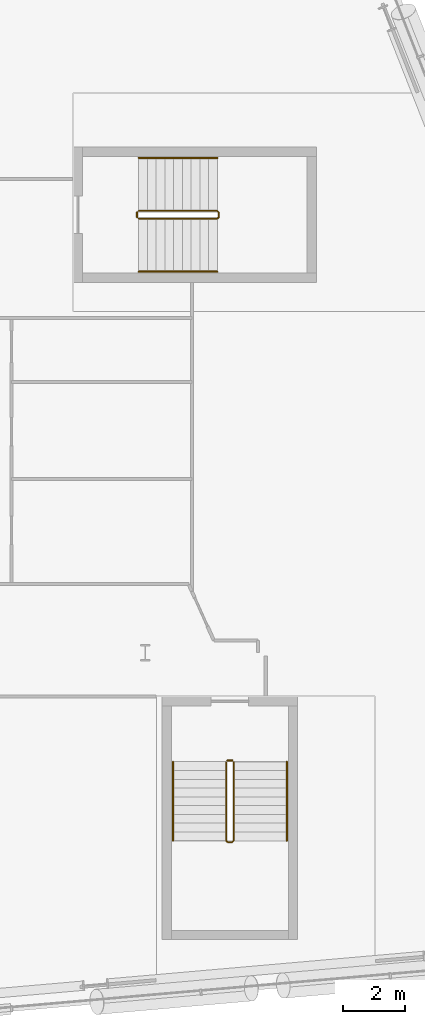
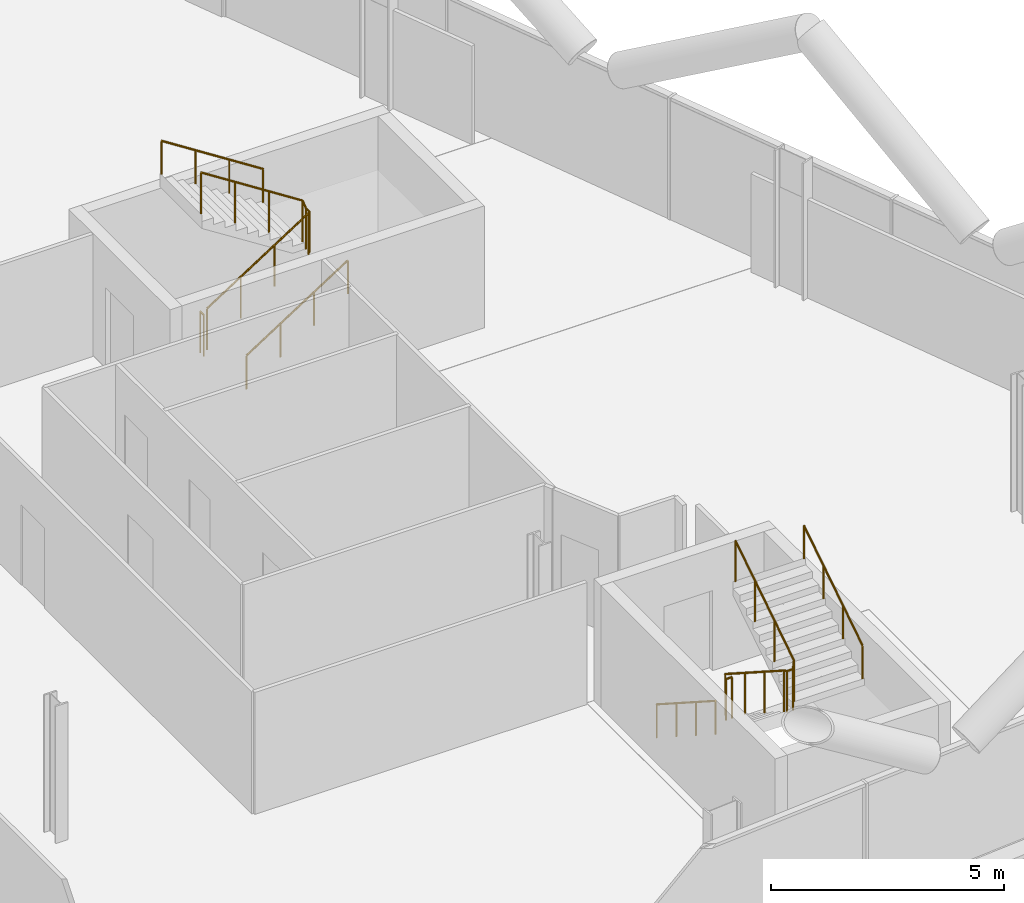
# One storey, part 26 of 26: 8 railings.
"""IFC4 building model written with IfcOpenShell, lengths in metres."""

from ifc_helpers import new_model, si_unit, direction, frame, origin, origin_2d, place, context, subcontext, project, spatial, circle, extrude, material, type_object, element, save


model = new_model("IFC4")

# Units and contexts
model_context = context("Model", 3, precision=1e-05, world=origin(), true_north=direction((0.0, 1.0)))
body_context = subcontext(model_context, "Body", "Model", "MODEL_VIEW")
ifc_project = project(units=[si_unit("LENGTHUNIT", "METRE"), si_unit("AREAUNIT", "SQUARE_METRE"), si_unit("VOLUMEUNIT", "CUBIC_METRE"), si_unit("PLANEANGLEUNIT", "RADIAN"), si_unit("MASSUNIT", "GRAM", prefix="KILO")], contexts=[model_context])

# Site, building, storey
site_placement = place(None, origin())
site = spatial("IfcSite", under=ifc_project, at=site_placement, CompositionType="ELEMENT")
building_placement = place(site_placement, origin())
building = spatial("IfcBuilding", under=site, at=building_placement, Name="Wharfspan Tower", CompositionType="ELEMENT")
storey_placement = place(building_placement, frame((0.0, 0.0, 125.5)))
storey = spatial("IfcBuildingStorey", under=building, at=storey_placement, Name="L29", CompositionType="ELEMENT", Elevation=125.5)

# Railings
ifc_material = material(Name="Steel S355J2", Category="steel")
railing_type_1 = type_object("IfcRailingType", Name="Stair guard 1100", PredefinedType="GUARDRAIL", material=ifc_material)
railing_1_placement = place(storey_placement, frame((74.591064, 7.994629, 0.179932)))
element("IfcRailing", 1, at=railing_1_placement, inside=storey, type_object=railing_type_1, Name="L29 ST5 stair guard 1", PredefinedType="GUARDRAIL", context=body_context, shape_type="SweptSolid", body=[
    extrude(circle(Radius=0.023926, at=origin_2d()), frame((0.0, 0.0, 1.076172), z_axis=(0.0, -0.841163, 0.540782), x_axis=(1.0, 0.0, 0.0)), (0.0, 0.0, 1.0), 2.99585),
    extrude(circle(Radius=0.023926, at=origin_2d()), frame((0.0, -2.52002, 2.696289), z_axis=(0.707107, -0.707107, 0.0), x_axis=(0.707107, 0.707107, 0.0)), (0.0, 0.0, 1.0), 0.070801),
    extrude(circle(Radius=0.023926, at=origin_2d()), frame((0.050049, -2.570068, 2.696289), z_axis=(1.0, 0.0, 0.0), x_axis=(0.0, 1.0, 0.0)), (0.0, 0.0, 1.0), 0.149902),
    extrude(circle(Radius=0.023926, at=origin_2d()), frame((0.199951, -2.570068, 2.696289), z_axis=(0.258848, 0.258848, 0.930589), x_axis=(-0.707107, 0.707107, 0.0)), (0.0, 0.0, 1.0), 0.193359),
    extrude(circle(Radius=0.023926, at=origin_2d()), frame((0.25, -2.52002, 2.875977), z_axis=(0.0, 0.841163, 0.540782), x_axis=(-1.0, 0.0, 0.0)), (0.0, 0.0, 1.0), 2.99585),
    extrude(circle(Radius=0.020996, at=origin_2d()), origin(), (0.0, 0.0, 1.0), 1.052002),
    extrude(circle(Radius=0.020996, at=origin_2d()), frame((0.0, -0.840088, 0.540039)), (0.0, 0.0, 1.0), 1.052002),
    extrude(circle(Radius=0.020996, at=origin_2d()), frame((0.0, -1.679932, 1.080078)), (0.0, 0.0, 1.0), 1.052002),
    extrude(circle(Radius=0.020996, at=origin_2d()), frame((0.0, -2.52002, 1.620117)), (0.0, 0.0, 1.0), 1.052002),
    extrude(circle(Radius=0.020996, at=origin_2d()), frame((0.050049, -2.570068, 1.620117)), (0.0, 0.0, 1.0), 1.052002),
    extrude(circle(Radius=0.020996, at=origin_2d()), frame((0.199951, -2.570068, 1.620117)), (0.0, 0.0, 1.0), 1.052002),
    extrude(circle(Radius=0.020996, at=origin_2d()), frame((0.25, -2.52002, 1.800049)), (0.0, 0.0, 1.0), 1.052002),
    extrude(circle(Radius=0.020996, at=origin_2d()), frame((0.25, -1.679932, 2.340088)), (0.0, 0.0, 1.0), 1.052002),
    extrude(circle(Radius=0.020996, at=origin_2d()), frame((0.25, -0.840088, 2.880127)), (0.0, 0.0, 1.0), 1.052002),
    extrude(circle(Radius=0.020996, at=origin_2d()), frame((0.25, 0.0, 3.420166)), (0.0, 0.0, 1.0), 1.052002),
])
railing_2_placement = place(storey_placement, frame((74.641113, 8.044678, 0.0)))
element("IfcRailing", 2, at=railing_2_placement, inside=storey, type_object=railing_type_1, Name="L29 ST5 stair guard 2", PredefinedType="GUARDRAIL", context=body_context, shape_type="SweptSolid", body=[
    extrude(circle(Radius=0.023926, at=origin_2d()), frame((0.0, 0.0, 1.076172), z_axis=(1.0, 0.0, 0.0), x_axis=(0.0, 1.0, 0.0)), (0.0, 0.0, 1.0), 0.149902),
    extrude(circle(Radius=0.020996, at=origin_2d()), origin(), (0.0, 0.0, 1.0), 1.052002),
    extrude(circle(Radius=0.020996, at=origin_2d()), frame((0.149902, 0.0, 0.0)), (0.0, 0.0, 1.0), 1.052002),
])
railing_3_placement = place(storey_placement, frame((71.790283, 25.425049, 0.179932)))
element("IfcRailing", 3, at=railing_3_placement, inside=storey, type_object=railing_type_1, Name="L29 ST6 stair guard 1", PredefinedType="GUARDRAIL", context=body_context, shape_type="SweptSolid", body=[
    extrude(circle(Radius=0.023926, at=origin_2d()), frame((0.0, 0.0, 1.076172), z_axis=(0.841163, 0.0, 0.540782), x_axis=(0.0, 1.0, 0.0)), (0.0, 0.0, 1.0), 2.99585),
    extrude(circle(Radius=0.023926, at=origin_2d()), frame((2.52002, 0.0, 2.696289), z_axis=(0.707107, 0.707107, 0.0), x_axis=(-0.707107, 0.707107, 0.0)), (0.0, 0.0, 1.0), 0.070801),
    extrude(circle(Radius=0.023926, at=origin_2d()), frame((2.570068, 0.050049, 2.696289), z_axis=(0.0, 1.0, 0.0), x_axis=(-1.0, 0.0, 0.0)), (0.0, 0.0, 1.0), 0.149902),
    extrude(circle(Radius=0.023926, at=origin_2d()), frame((2.570068, 0.199951, 2.696289), z_axis=(-0.258848, 0.258848, 0.930589), x_axis=(-0.707107, -0.707107, 0.0)), (0.0, 0.0, 1.0), 0.193359),
    extrude(circle(Radius=0.023926, at=origin_2d()), frame((2.52002, 0.25, 2.875977), z_axis=(-0.841163, 0.0, 0.540782), x_axis=(0.0, -1.0, 0.0)), (0.0, 0.0, 1.0), 2.99585),
    extrude(circle(Radius=0.020996, at=origin_2d()), origin(), (0.0, 0.0, 1.0), 1.052002),
    extrude(circle(Radius=0.020996, at=origin_2d()), frame((0.840088, 0.0, 0.540039)), (0.0, 0.0, 1.0), 1.052002),
    extrude(circle(Radius=0.020996, at=origin_2d()), frame((1.679932, 0.0, 1.080078)), (0.0, 0.0, 1.0), 1.052002),
    extrude(circle(Radius=0.020996, at=origin_2d()), frame((2.52002, 0.0, 1.620117)), (0.0, 0.0, 1.0), 1.052002),
    extrude(circle(Radius=0.020996, at=origin_2d()), frame((2.570068, 0.050049, 1.620117)), (0.0, 0.0, 1.0), 1.052002),
    extrude(circle(Radius=0.020996, at=origin_2d()), frame((2.570068, 0.199951, 1.620117)), (0.0, 0.0, 1.0), 1.052002),
    extrude(circle(Radius=0.020996, at=origin_2d()), frame((2.52002, 0.25, 1.800049)), (0.0, 0.0, 1.0), 1.052002),
    extrude(circle(Radius=0.020996, at=origin_2d()), frame((1.679932, 0.25, 2.340088)), (0.0, 0.0, 1.0), 1.052002),
    extrude(circle(Radius=0.020996, at=origin_2d()), frame((0.840088, 0.25, 2.880127)), (0.0, 0.0, 1.0), 1.052002),
    extrude(circle(Radius=0.020996, at=origin_2d()), frame((0.0, 0.25, 3.420166)), (0.0, 0.0, 1.0), 1.052002),
])
railing_4_placement = place(storey_placement, frame((71.740479, 25.475098, 0.0)))
element("IfcRailing", 4, at=railing_4_placement, inside=storey, type_object=railing_type_1, Name="L29 ST6 stair guard 2", PredefinedType="GUARDRAIL", context=body_context, shape_type="SweptSolid", body=[
    extrude(circle(Radius=0.023926, at=origin_2d()), frame((0.0, 0.0, 1.076172), z_axis=(0.0, 1.0, 0.0), x_axis=(-1.0, 0.0, 0.0)), (0.0, 0.0, 1.0), 0.149902),
    extrude(circle(Radius=0.020996, at=origin_2d()), origin(), (0.0, 0.0, 1.0), 1.052002),
    extrude(circle(Radius=0.020996, at=origin_2d()), frame((0.0, 0.149902, 0.0)), (0.0, 0.0, 1.0), 1.052002),
])
railing_type_2 = type_object("IfcRailingType", Name="Stair handrail 900", PredefinedType="HANDRAIL", material=ifc_material)
railing_5_placement = place(storey_placement, frame((72.891113, 7.994629, 0.179932)))
element("IfcRailing", 5, at=railing_5_placement, inside=storey, type_object=railing_type_2, Name="L29 ST5 stair handrail 1", PredefinedType="HANDRAIL", context=body_context, shape_type="SweptSolid", body=[
    extrude(circle(Radius=0.023926, at=origin_2d()), frame((0.0, 0.0, 0.875977), z_axis=(0.0, -0.841163, 0.540782), x_axis=(1.0, 0.0, 0.0)), (0.0, 0.0, 1.0), 2.99585),
    extrude(circle(Radius=0.020996, at=origin_2d()), origin(), (0.0, 0.0, 1.0), 0.851807),
    extrude(circle(Radius=0.020996, at=origin_2d()), frame((0.0, -0.840088, 0.540039)), (0.0, 0.0, 1.0), 0.851807),
    extrude(circle(Radius=0.020996, at=origin_2d()), frame((0.0, -1.679932, 1.080078)), (0.0, 0.0, 1.0), 0.851807),
    extrude(circle(Radius=0.020996, at=origin_2d()), frame((0.0, -2.52002, 1.620117)), (0.0, 0.0, 1.0), 0.851807),
])
railing_6_placement = place(storey_placement, frame((76.541016, 5.474609, 1.97998)))
element("IfcRailing", 6, at=railing_6_placement, inside=storey, type_object=railing_type_2, Name="L29 ST5 stair handrail 2", PredefinedType="HANDRAIL", context=body_context, shape_type="SweptSolid", body=[
    extrude(circle(Radius=0.023926, at=origin_2d()), frame((0.0, 0.0, 0.875977), z_axis=(0.0, 0.841163, 0.540782), x_axis=(-1.0, 0.0, 0.0)), (0.0, 0.0, 1.0), 2.99585),
    extrude(circle(Radius=0.020996, at=origin_2d()), origin(), (0.0, 0.0, 1.0), 0.851807),
    extrude(circle(Radius=0.020996, at=origin_2d()), frame((0.0, 0.840088, 0.540039)), (0.0, 0.0, 1.0), 0.851807),
    extrude(circle(Radius=0.020996, at=origin_2d()), frame((0.0, 1.679932, 1.080078)), (0.0, 0.0, 1.0), 0.851807),
    extrude(circle(Radius=0.020996, at=origin_2d()), frame((0.0, 2.52002, 1.620117)), (0.0, 0.0, 1.0), 0.851807),
])
railing_7_placement = place(storey_placement, frame((71.790283, 23.725098, 0.179932)))
element("IfcRailing", 7, at=railing_7_placement, inside=storey, type_object=railing_type_2, Name="L29 ST6 stair handrail 1", PredefinedType="HANDRAIL", context=body_context, shape_type="SweptSolid", body=[
    extrude(circle(Radius=0.023926, at=origin_2d()), frame((0.0, 0.0, 0.875977), z_axis=(0.841163, 0.0, 0.540782), x_axis=(0.0, 1.0, 0.0)), (0.0, 0.0, 1.0), 2.99585),
    extrude(circle(Radius=0.020996, at=origin_2d()), origin(), (0.0, 0.0, 1.0), 0.851807),
    extrude(circle(Radius=0.020996, at=origin_2d()), frame((0.840088, 0.0, 0.540039)), (0.0, 0.0, 1.0), 0.851807),
    extrude(circle(Radius=0.020996, at=origin_2d()), frame((1.679932, 0.0, 1.080078)), (0.0, 0.0, 1.0), 0.851807),
    extrude(circle(Radius=0.020996, at=origin_2d()), frame((2.52002, 0.0, 1.620117)), (0.0, 0.0, 1.0), 0.851807),
])
railing_8_placement = place(storey_placement, frame((74.310303, 27.375, 1.97998)))
element("IfcRailing", 8, at=railing_8_placement, inside=storey, type_object=railing_type_2, Name="L29 ST6 stair handrail 2", PredefinedType="HANDRAIL", context=body_context, shape_type="SweptSolid", body=[
    extrude(circle(Radius=0.023926, at=origin_2d()), frame((0.0, 0.0, 0.875977), z_axis=(-0.841163, 0.0, 0.540782), x_axis=(0.0, -1.0, 0.0)), (0.0, 0.0, 1.0), 2.99585),
    extrude(circle(Radius=0.020996, at=origin_2d()), origin(), (0.0, 0.0, 1.0), 0.851807),
    extrude(circle(Radius=0.020996, at=origin_2d()), frame((-0.840088, 0.0, 0.540039)), (0.0, 0.0, 1.0), 0.851807),
    extrude(circle(Radius=0.020996, at=origin_2d()), frame((-1.679932, 0.0, 1.080078)), (0.0, 0.0, 1.0), 0.851807),
    extrude(circle(Radius=0.020996, at=origin_2d()), frame((-2.52002, 0.0, 1.620117)), (0.0, 0.0, 1.0), 0.851807),
])

save(model, "model.ifc")
